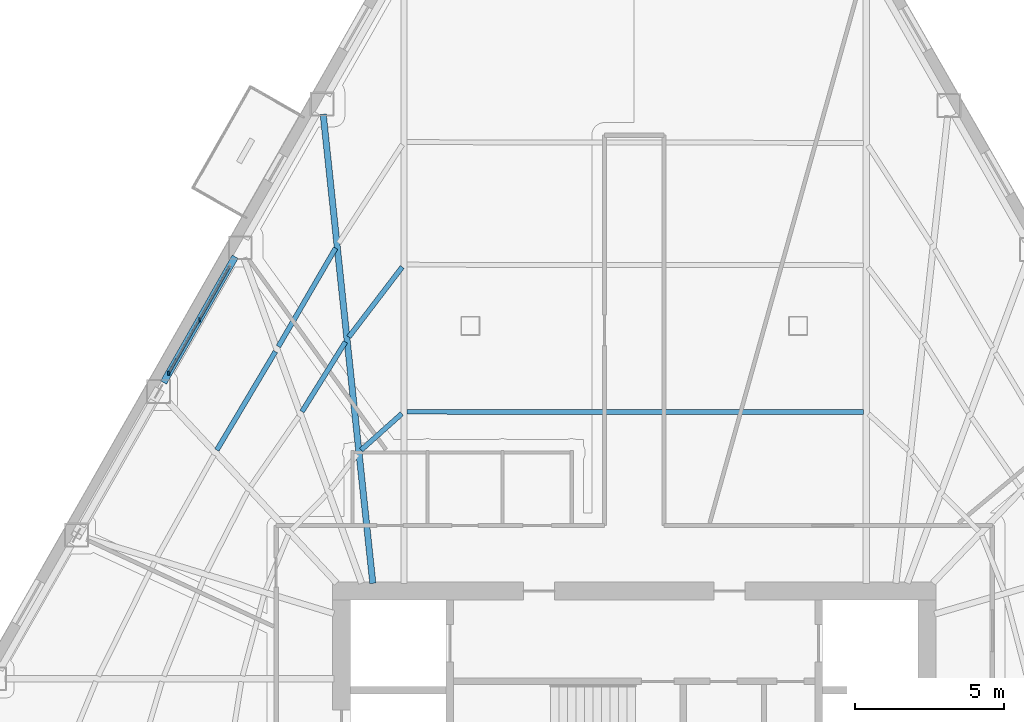
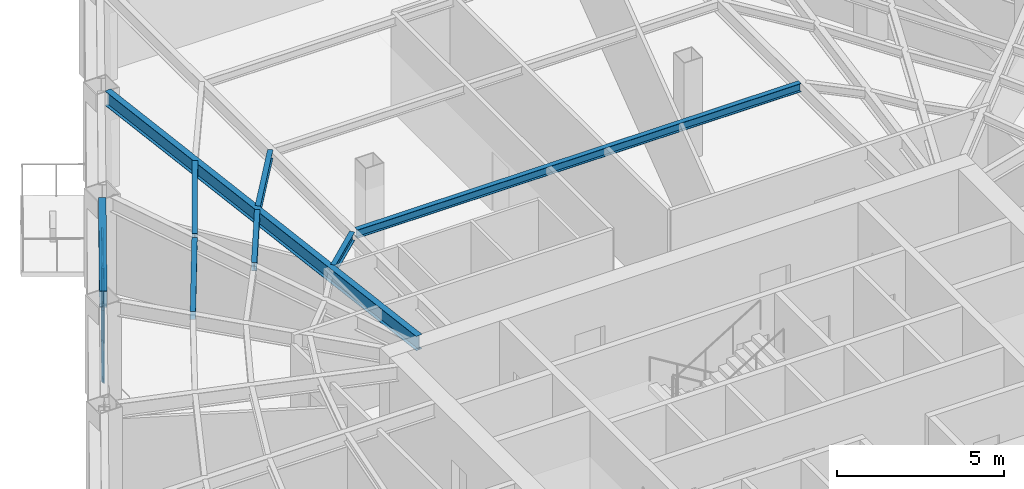
# One storey, part 2 of 14: 8 beams, 4 members, 1 element without a shape of its own.
"""IFC4 building model written with IfcOpenShell, lengths in metres."""

from ifc_helpers import new_model, si_unit, direction, frame, origin, origin_2d, place, context, subcontext, project, spatial, rectangle, i_section, extrude, material, layer, layer_set, material_profile, profile_set, type_object, element, aggregate, save


model = new_model("IFC4")

# Units and contexts
model_context = context("Model", 3, precision=1e-05, world=origin(), true_north=direction((0.0, 1.0)))
body_context = subcontext(model_context, "Body", "Model", "MODEL_VIEW")
ifc_project = project(units=[si_unit("LENGTHUNIT", "METRE"), si_unit("AREAUNIT", "SQUARE_METRE"), si_unit("VOLUMEUNIT", "CUBIC_METRE"), si_unit("PLANEANGLEUNIT", "RADIAN"), si_unit("MASSUNIT", "GRAM", prefix="KILO")], contexts=[model_context])

# Site, building, storey
site_placement = place(None, origin())
site = spatial("IfcSite", under=ifc_project, at=site_placement, CompositionType="ELEMENT")
building_placement = place(site_placement, origin())
building = spatial("IfcBuilding", under=site, at=building_placement, Name="Kavelnor Concourse Tower", CompositionType="ELEMENT")
storey_placement = place(building_placement, frame((0.0, 0.0, 32.949951171875)))
storey = spatial("IfcBuildingStorey", under=building, at=storey_placement, Name="L08", CompositionType="ELEMENT", Elevation=32.949951171875)

# Beams
ifc_material_1 = material(Name="Steel Grade 350", Category="steel")
ifc_material_profile_1 = material_profile(ifc_material_1, i_section(OverallWidth=0.166015625, OverallDepth=0.306884765625, WebThickness=0.006591796875, FlangeThickness=0.01171875, at=origin_2d()), Name="310UB46")
ifc_profile_set_1 = profile_set([ifc_material_profile_1], Name="Steel Grade 350")
beam_type_1 = type_object("IfcBeamType", Name="BM-JOIST-310", PredefinedType="JOIST", material=ifc_profile_set_1)
beam_1_placement = place(storey_placement, frame((45.692138671875, 28.908447265625, 3.4365234375), z_axis=(-0.999999796893, 0.0006373485, 0.0), x_axis=(-0.0006373485, -0.999999796893, 0.0)))
element("IfcBeam", 1, at=beam_1_placement, inside=storey, type_object=beam_type_1, Name="L08 Secondary Composite Joist 15-1", PredefinedType="JOIST", context=body_context, shape_type="SweptSolid", body=[
    extrude(i_section(OverallWidth=0.166015625, OverallDepth=0.306884765625, WebThickness=0.006591796875, FlangeThickness=0.01171875, at=origin_2d()), origin(), (0.0, 0.0, 1.0), 15.322265625),
])
beam_2_placement = place(storey_placement, frame((30.197998046875, 28.8525390625, 3.4365234375), z_axis=(-0.745994466808, -0.665952142043, 0.0), x_axis=(0.665952142043, -0.745994466808, 0.0)))
element("IfcBeam", 2, at=beam_2_placement, inside=storey, type_object=beam_type_1, Name="L08 Secondary Composite Joist 16-1", PredefinedType="JOIST", context=body_context, shape_type="SweptSolid", body=[
    extrude(i_section(OverallWidth=0.166015625, OverallDepth=0.306884765625, WebThickness=0.006591796875, FlangeThickness=0.01171875, at=origin_2d()), origin(), (0.0, 0.0, 1.0), 1.830078125),
])
beam_3_placement = place(storey_placement, frame((30.211669921875, 33.775390625, 3.4365234375), z_axis=(-0.606324377036, -0.795217422981, 0.0), x_axis=(0.795217422981, -0.606324377036, 0.0)))
element("IfcBeam", 3, at=beam_3_placement, inside=storey, type_object=beam_type_1, Name="L08 Secondary Composite Joist 16-2", PredefinedType="JOIST", context=body_context, shape_type="SweptSolid", body=[
    extrude(i_section(OverallWidth=0.166015625, OverallDepth=0.306884765625, WebThickness=0.006591796875, FlangeThickness=0.01171875, at=origin_2d()), origin(), (0.0, 0.0, 1.0), 2.955810546875),
])
beam_4_placement = place(storey_placement, frame((28.3076171875, 31.2626953125, 3.4365234375), z_axis=(-0.528940022306, -0.848659208872, 0.0), x_axis=(0.848659208872, -0.528940022306, 0.0)))
element("IfcBeam", 4, at=beam_4_placement, inside=storey, type_object=beam_type_1, Name="L08 Secondary Composite Joist 17-2", PredefinedType="JOIST", context=body_context, shape_type="SweptSolid", body=[
    extrude(i_section(OverallWidth=0.166015625, OverallDepth=0.306884765625, WebThickness=0.006591796875, FlangeThickness=0.01171875, at=origin_2d()), origin(), (0.0, 0.0, 1.0), 2.75732421875),
])
beam_5_placement = place(storey_placement, frame((27.97705078125, 34.40966796875, 3.4365234375), z_axis=(-0.502718205363, -0.864450349064, 0.0), x_axis=(0.864450349064, -0.502718205363, 0.0)))
element("IfcBeam", 5, at=beam_5_placement, inside=storey, type_object=beam_type_1, Name="L08 Secondary Composite Joist 17-3", PredefinedType="JOIST", context=body_context, shape_type="SweptSolid", body=[
    extrude(i_section(OverallWidth=0.166015625, OverallDepth=0.306884765625, WebThickness=0.006591796875, FlangeThickness=0.01171875, at=origin_2d()), origin(), (0.0, 0.0, 1.0), 3.820068359375),
])
beam_6_placement = place(storey_placement, frame((25.956787109375, 30.937744140625, 3.4365234375), z_axis=(-0.511169170013, -0.859480121718, 0.0), x_axis=(0.859480121718, -0.511169170013, 0.0)))
element("IfcBeam", 6, at=beam_6_placement, inside=storey, type_object=beam_type_1, Name="L08 Secondary Composite Joist 18-3", PredefinedType="JOIST", context=body_context, shape_type="SweptSolid", body=[
    extrude(i_section(OverallWidth=0.166015625, OverallDepth=0.306884765625, WebThickness=0.006591796875, FlangeThickness=0.01171875, at=origin_2d()), origin(), (0.0, 0.0, 1.0), 3.8466796875),
])
ifc_material_profile_2 = material_profile(ifc_material_1, i_section(OverallWidth=0.208984375, OverallDepth=0.528076171875, WebThickness=0.009521484375, FlangeThickness=0.01318359375, at=origin_2d()), Name="530UB82")
ifc_profile_set_2 = profile_set([ifc_material_profile_2], Name="Steel Grade 350")
beam_type_2 = type_object("IfcBeamType", Name="BM-PRIMARY-530", PredefinedType="BEAM", material=ifc_profile_set_2)
beam_7_placement = place(storey_placement, frame((29.2255859375, 23.16015625, 3.325927734375), z_axis=(-0.105194547064, 0.994451661604, 0.0), x_axis=(-0.994451661604, -0.105194547064, 0.0)))
element("IfcBeam", 7, at=beam_7_placement, inside=storey, type_object=beam_type_2, Name="L08 Primary Floor Girder F0-B1", PredefinedType="BEAM", context=body_context, shape_type="SweptSolid", body=[
    extrude(i_section(OverallWidth=0.208984375, OverallDepth=0.528076171875, WebThickness=0.009521484375, FlangeThickness=0.01318359375, at=origin_2d()), origin(), (0.0, 0.0, 1.0), 15.83056640625),
])
ifc_material_profile_3 = material_profile(ifc_material_1, i_section(OverallWidth=0.22900390625, OverallDepth=0.612060546875, WebThickness=0.011962890625, FlangeThickness=0.01953125, at=origin_2d()), Name="610UB125")
ifc_profile_set_3 = profile_set([ifc_material_profile_3], Name="Steel Grade 350")
beam_type_3 = type_object("IfcBeamType", Name="BM-SPANDREL-Z1", PredefinedType="SPANDREL", material=ifc_profile_set_3)
beam_8_placement = place(storey_placement, frame((24.6064453125, 34.12158203125, 3.283935546875), z_axis=(-0.494991425078, -0.868897858841, 0.0), x_axis=(0.868897858841, -0.494991425078, 0.0)))
element("IfcBeam", 8, at=beam_8_placement, inside=storey, type_object=beam_type_3, Name="L08 Perimeter Tube Spandrel Beam F0-B2", PredefinedType="SPANDREL", context=body_context, shape_type="SweptSolid", body=[
    extrude(i_section(OverallWidth=0.22900390625, OverallDepth=0.612060546875, WebThickness=0.011962890625, FlangeThickness=0.01953125, at=origin_2d()), origin(), (0.0, 0.0, 1.0), 4.859130859375),
])

# Curtain wall, members
ifc_material_2 = material(Name="Anodised aluminium 6063-T6", Category="aluminium")
ifc_layer = layer(ifc_material_2, 0.139892578125, Name="Anodised aluminium 6063-T6")
ifc_layer_set = layer_set([ifc_layer], Name="Anodised aluminium 6063-T6")
curtain_wall_type = type_object("IfcCurtainWallType", Name="CW-TERRACE-PAVILION", PredefinedType="NOTDEFINED", material=ifc_layer_set)
curtain_wall_placement = place(storey_placement, origin())
curtain_wall = element("IfcCurtainWall", 9, at=curtain_wall_placement, inside=storey, type_object=curtain_wall_type, Name="L08 Terrace Pavilion Curtain Wall", PredefinedType="NOTDEFINED")
ifc_material_profile_4 = material_profile(ifc_material_2, rectangle(XDim=0.054931640625, YDim=0.139892578125, at=origin_2d()), Name="AL-MULL 55x140")
ifc_profile_set_4 = profile_set([ifc_material_profile_4], Name="Anodised aluminium 6063-T6")
member_type_1 = type_object("IfcMemberType", Name="CW-TERRACE-PAVILION-MULL", PredefinedType="MULLION", material=ifc_profile_set_4)
member_1_placement = place(storey_placement, frame((23.40380859375, 32.010498046875, 0.0), z_axis=(0.0, 0.0, 1.0), x_axis=(1.0, 0.0, 0.0)))
member_1 = element("IfcMember", 10, at=member_1_placement, type_object=member_type_1, Name="L08 Terrace Pavilion Curtain Wall Mullion 1", PredefinedType="MULLION", context=body_context, shape_type="SweptSolid", body=[
    extrude(rectangle(XDim=0.054931640625, YDim=0.139892578125, at=origin_2d()), origin(), (0.0, 0.0, 1.0), 2.75),
])
member_2_placement = place(storey_placement, frame((22.376708984375, 30.2080078125, 0.0), z_axis=(0.0, 0.0, 1.0), x_axis=(1.0, 0.0, 0.0)))
member_2 = element("IfcMember", 11, at=member_2_placement, type_object=member_type_1, Name="L08 Terrace Pavilion Curtain Wall Mullion 2", PredefinedType="MULLION", context=body_context, shape_type="SweptSolid", body=[
    extrude(rectangle(XDim=0.054931640625, YDim=0.139892578125, at=origin_2d()), origin(), (0.0, 0.0, 1.0), 2.75),
])
ifc_material_profile_5 = material_profile(ifc_material_2, rectangle(XDim=0.054931640625, YDim=0.1201171875, at=origin_2d()), Name="AL-TRAN 55x120")
ifc_profile_set_5 = profile_set([ifc_material_profile_5], Name="Anodised aluminium 6063-T6")
member_type_2 = type_object("IfcMemberType", Name="CW-TERRACE-PAVILION-TRAN", PredefinedType="USERDEFINED", material=ifc_profile_set_5)
member_3_placement = place(storey_placement, frame((24.430908203125, 33.813232421875, 0.06005859375), z_axis=(-0.49506137192, -0.868858007981, 0.0), x_axis=(0.868858007981, -0.49506137192, 0.0)))
member_3 = element("IfcMember", 12, at=member_3_placement, type_object=member_type_2, Name="L08 Terrace Pavilion Curtain Wall Transom 0-BOT", ObjectType="TRANSOM", PredefinedType="USERDEFINED", context=body_context, shape_type="SweptSolid", body=[
    extrude(rectangle(XDim=0.054931640625, YDim=0.1201171875, at=origin_2d()), origin(), (0.0, 0.0, 1.0), 4.1494140625),
])
member_4_placement = place(storey_placement, frame((24.430908203125, 33.813232421875, 2.68994140625), z_axis=(-0.49506137192, -0.868858007981, 0.0), x_axis=(0.868858007981, -0.49506137192, 0.0)))
member_4 = element("IfcMember", 13, at=member_4_placement, type_object=member_type_2, Name="L08 Terrace Pavilion Curtain Wall Transom 0-TOP", ObjectType="TRANSOM", PredefinedType="USERDEFINED", context=body_context, shape_type="SweptSolid", body=[
    extrude(rectangle(XDim=0.054931640625, YDim=0.1201171875, at=origin_2d()), origin(), (0.0, 0.0, 1.0), 4.1494140625),
])
aggregate(curtain_wall, [member_1, member_2, member_3, member_4])

save(model, "model.ifc")
